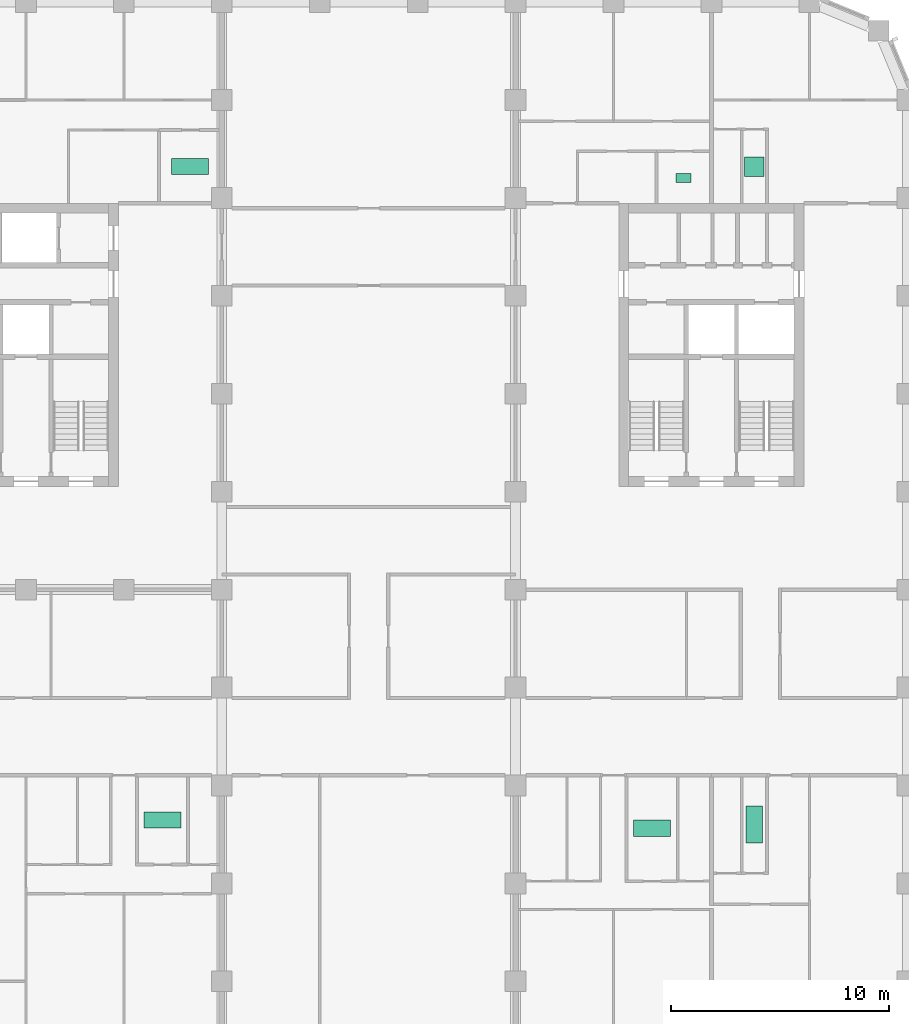
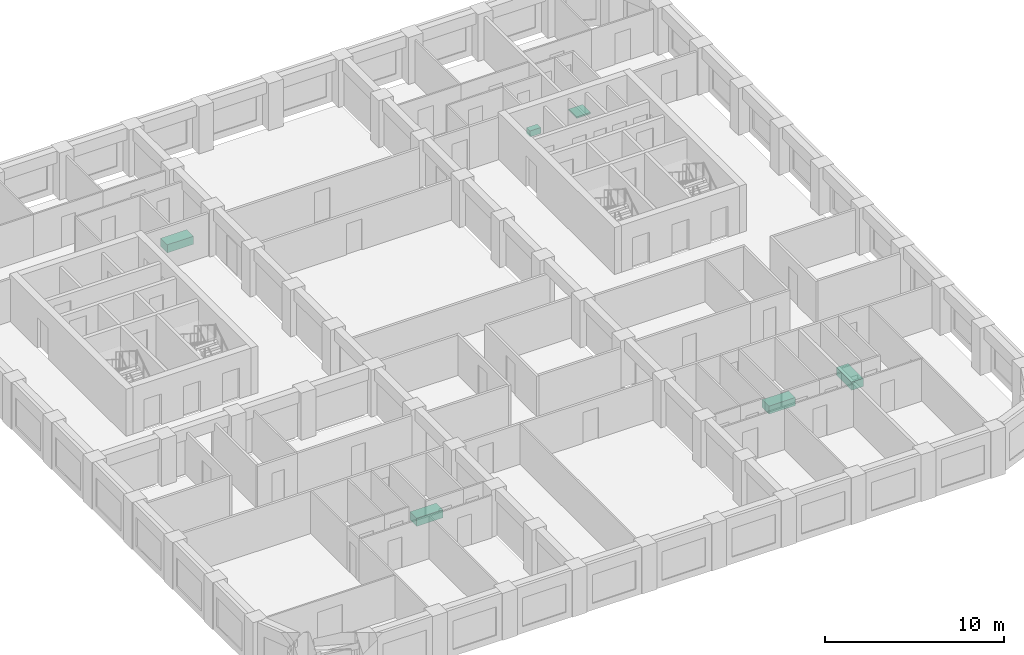
# One storey, part 12 of 12: 6 sanitary terminals.
"""IFC4 building model written with IfcOpenShell, lengths in metres."""

from ifc_helpers import new_model, si_unit, direction, frame, origin, origin_2d, place, context, subcontext, project, spatial, rectangle, extrude, material, type_object, element, save


model = new_model("IFC4")

# Units and contexts
model_context = context("Model", 3, precision=1e-05, world=origin(), true_north=direction((0.0, 1.0)))
body_context = subcontext(model_context, "Body", "Model", "MODEL_VIEW")
ifc_project = project(units=[si_unit("LENGTHUNIT", "METRE"), si_unit("AREAUNIT", "SQUARE_METRE"), si_unit("VOLUMEUNIT", "CUBIC_METRE"), si_unit("PLANEANGLEUNIT", "RADIAN"), si_unit("MASSUNIT", "GRAM", prefix="KILO")], contexts=[model_context])

# Site, building, storey
site_placement = place(None, origin())
site = spatial("IfcSite", under=ifc_project, at=site_placement, CompositionType="ELEMENT")
building_placement = place(site_placement, origin())
building = spatial("IfcBuilding", under=site, at=building_placement, Name="Girih Gate Residences", CompositionType="ELEMENT")
storey_placement = place(building_placement, frame((0.0, 0.0, 143.0)))
storey = spatial("IfcBuildingStorey", under=building, at=storey_placement, Name="L40", CompositionType="ELEMENT", Elevation=143.0)

# Sanitary terminals
ifc_material_1 = material(Name="Acrylic")
sanitary_terminal_type_1 = type_object("IfcSanitaryTerminalType", Name="Bath 1700", PredefinedType="BATH", material=ifc_material_1)
for number, where, z_axis, x_axis, name in (
    (1, (15.27587890625, 11.9140625, 0.0), (0.0, 0.0, 1.0), (1.0, 0.0, 0.0), "Bath 1700 L40"),
    (2, (16.528076171875, 41.94091796875, 0.0), (0.0, 0.0, 1.0), (1.0, 0.0, 0.0), "Bath 1700 L40"),
):
    element("IfcSanitaryTerminal", number, at=place(storey_placement, frame(where, z_axis=z_axis, x_axis=x_axis)), inside=storey, type_object=sanitary_terminal_type_1, Name=name, PredefinedType="BATH", context=body_context, shape_type="SweptSolid", body=[
        extrude(rectangle(XDim=1.699951171875, YDim=0.75, at=origin_2d()), origin(), (0.0, 0.0, 1.0), 0.550048828125),
    ])
sanitary_terminal_1_placement = place(storey_placement, frame((42.470947265625, 11.714111328125, 0.0), z_axis=(0.0, 0.0, 1.0), x_axis=(1.0, 0.0, 0.0)))
element("IfcSanitaryTerminal", 3, at=sanitary_terminal_1_placement, inside=storey, type_object=sanitary_terminal_type_1, Name="Bath 1700 L40", PredefinedType="BATH", context=body_context, shape_type="SweptSolid", body=[
    extrude(rectangle(XDim=0.75, YDim=1.699951171875, at=origin_2d()), origin(), (0.0, 0.0, 1.0), 0.550048828125),
])
sanitary_terminal_2_placement = place(storey_placement, frame((37.77294921875, 11.533935546875, 0.0), z_axis=(0.0, 0.0, 1.0), x_axis=(1.0, 0.0, 0.0)))
element("IfcSanitaryTerminal", 4, at=sanitary_terminal_2_placement, inside=storey, type_object=sanitary_terminal_type_1, Name="Bath 1700 L40", PredefinedType="BATH", context=body_context, shape_type="SweptSolid", body=[
    extrude(rectangle(XDim=1.699951171875, YDim=0.75, at=origin_2d()), origin(), (0.0, 0.0, 1.0), 0.550048828125),
])
sanitary_terminal_type_2 = type_object("IfcSanitaryTerminalType", Name="Shower tray 900", PredefinedType="SHOWER", material=ifc_material_1)
sanitary_terminal_3_placement = place(storey_placement, frame((42.470947265625, 41.924072265625, 0.0), z_axis=(0.0, 0.0, 1.0), x_axis=(1.0, 0.0, 0.0)))
element("IfcSanitaryTerminal", 5, at=sanitary_terminal_3_placement, inside=storey, type_object=sanitary_terminal_type_2, Name="Shower tray 900 L40", PredefinedType="SHOWER", context=body_context, shape_type="SweptSolid", body=[
    extrude(rectangle(XDim=0.89990234375, YDim=0.89990234375, at=origin_2d()), origin(), (0.0, 0.0, 1.0), 0.10009765625),
])
ifc_material_2 = material(Name="Vitreous china")
sanitary_terminal_type_3 = type_object("IfcSanitaryTerminalType", Name="WC pan", PredefinedType="TOILETPAN", material=ifc_material_2)
sanitary_terminal_4_placement = place(storey_placement, frame((39.218017578125, 41.416015625, 0.0), z_axis=(0.0, 0.0, 1.0), x_axis=(1.0, 0.0, 0.0)))
element("IfcSanitaryTerminal", 6, at=sanitary_terminal_4_placement, inside=storey, type_object=sanitary_terminal_type_3, Name="WC pan L40", PredefinedType="TOILETPAN", context=body_context, shape_type="SweptSolid", body=[
    extrude(rectangle(XDim=0.699951171875, YDim=0.39990234375, at=origin_2d()), origin(), (0.0, 0.0, 1.0), 0.39990234375),
])

save(model, "model.ifc")
